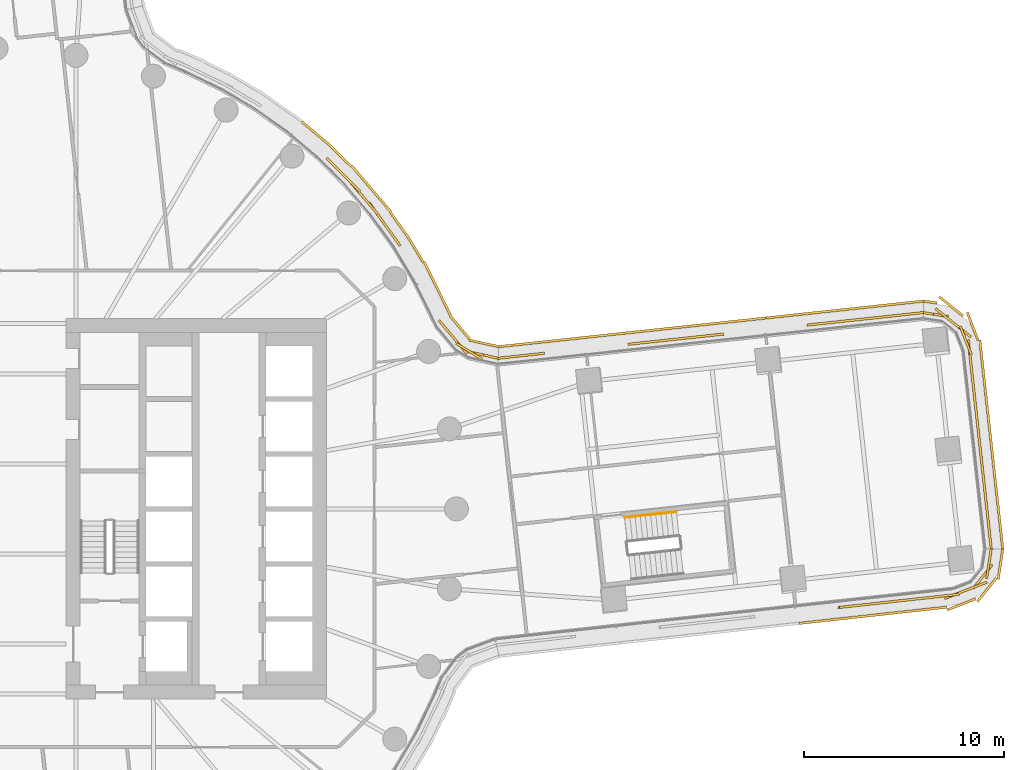
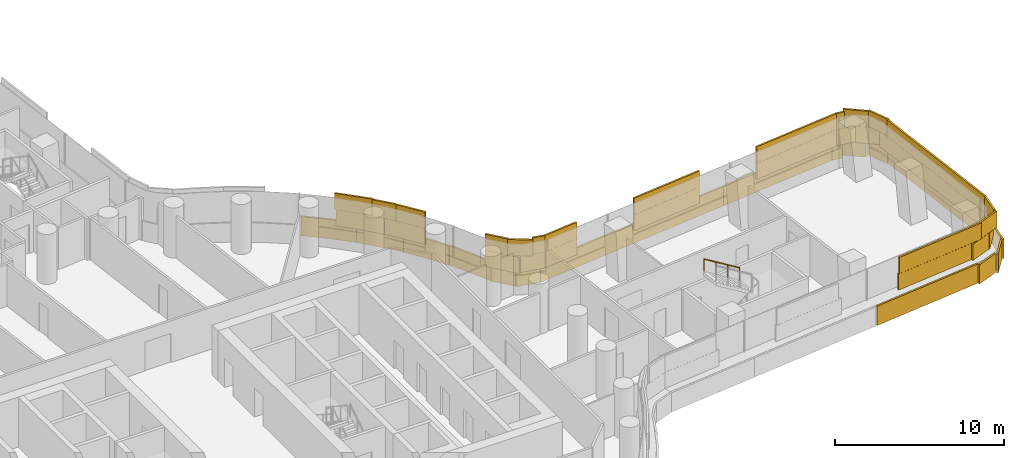
# One storey, part 29 of 31: 5 coverings, 1 railing.
"""IFC4 building model written with IfcOpenShell, lengths in metres."""

from ifc_helpers import new_model, si_unit, direction, frame, origin, origin_2d, place, context, subcontext, project, spatial, rectangle, circle, extrude, material, layer, layer_set, type_object, element, save


model = new_model("IFC4")

# Units and contexts
model_context = context("Model", 3, precision=1e-05, world=origin(), true_north=direction((0.0, 1.0)))
body_context = subcontext(model_context, "Body", "Model", "MODEL_VIEW")
ifc_project = project(units=[si_unit("LENGTHUNIT", "METRE"), si_unit("AREAUNIT", "SQUARE_METRE"), si_unit("VOLUMEUNIT", "CUBIC_METRE"), si_unit("PLANEANGLEUNIT", "RADIAN"), si_unit("MASSUNIT", "GRAM", prefix="KILO")], contexts=[model_context])

# Site, building, storey
site_placement = place(None, origin())
site = spatial("IfcSite", under=ifc_project, at=site_placement, CompositionType="ELEMENT")
building_placement = place(site_placement, origin())
building = spatial("IfcBuilding", under=site, at=building_placement, Name="Tamarind Cross Interchange Tower", CompositionType="ELEMENT")
storey_placement = place(building_placement, frame((0.0, 0.0, 56.5)))
storey = spatial("IfcBuildingStorey", under=building, at=storey_placement, Name="L12", CompositionType="ELEMENT", Elevation=56.5)

# Railing
ifc_material_1 = material(Name="Stair handrail")
railing_type = type_object("IfcRailingType", Name="Stair handrail", PredefinedType="HANDRAIL", material=ifc_material_1)
railing_placement = place(storey_placement, frame((33.987060546875, -0.141845703125, 2.04541015625)))
element("IfcRailing", 1, at=railing_placement, inside=storey, type_object=railing_type, Name="L12 ST3 stair handrail 2", PredefinedType="HANDRAIL", context=body_context, shape_type="SweptSolid", body=[
    extrude(circle(Radius=0.02392578125, at=origin_2d()), frame((0.0, 0.0, 0.8759765625), z_axis=(-0.831269033153, -0.09133357445, 0.548315577655), x_axis=(0.109215217887, -0.994018126687, 0.0)), (0.0, 0.0, 1.0), 3.10888671875),
    extrude(circle(Radius=0.02099609375, at=origin_2d()), origin(), (0.0, 0.0, 1.0), 0.851806640625),
    extrude(circle(Radius=0.02099609375, at=origin_2d()), frame((-0.861328125, -0.0947265625, 0.568115234375)), (0.0, 0.0, 1.0), 0.851806640625),
    extrude(circle(Radius=0.02099609375, at=origin_2d()), frame((-1.722900390625, -0.189208984375, 1.136474609375)), (0.0, 0.0, 1.0), 0.851806640625),
    extrude(circle(Radius=0.02099609375, at=origin_2d()), frame((-2.584228515625, -0.283935546875, 1.70458984375)), (0.0, 0.0, 1.0), 0.851806640625),
])

# Coverings
ifc_material_2 = material(Name="Terracotta", Category="masonry")
ifc_layer = layer(ifc_material_2, 0.1201171875)
ifc_layer_set = layer_set([ifc_layer], Name="Terracotta")
covering_type = type_object("IfcCoveringType", Name="Terracotta baguette screen unit", PredefinedType="MOLDING", material=ifc_layer_set)
covering_1_placement = place(storey_placement, origin())
element("IfcCovering", 2, at=covering_1_placement, inside=storey, type_object=covering_type, Name="SCR-L12-00-00", PredefinedType="MOLDING", context=body_context, shape_type="SweptSolid", body=[
    extrude(rectangle(XDim=1.510009765625, YDim=0.1201171875, at=origin_2d()), frame((49.631591796875, -1.252197265625, 1.404052734375), z_axis=(0.0, 0.0, 1.0), x_axis=(-0.109193040639, 0.994020563105, 0.0)), (0.0, 0.0, 1.0), 1.1669921875),
    extrude(rectangle(XDim=1.52001953125, YDim=0.1201171875, at=origin_2d()), frame((49.4677734375, 0.23876953125, 1.404052734375), z_axis=(0.0, 0.0, 1.0), x_axis=(-0.109193040639, 0.994020563105, 0.0)), (0.0, 0.0, 1.0), 1.1669921875),
    extrude(rectangle(XDim=1.52001953125, YDim=0.1201171875, at=origin_2d()), frame((49.303955078125, 1.72998046875, 1.404052734375), z_axis=(0.0, 0.0, 1.0), x_axis=(-0.109193040639, 0.994020563105, 0.0)), (0.0, 0.0, 1.0), 1.1669921875),
    extrude(rectangle(XDim=1.52001953125, YDim=0.1201171875, at=origin_2d()), frame((49.14013671875, 3.220947265625, 1.404052734375), z_axis=(0.0, 0.0, 1.0), x_axis=(-0.109193040639, 0.994020563105, 0.0)), (0.0, 0.0, 1.0), 1.1669921875),
    extrude(rectangle(XDim=1.52001953125, YDim=0.1201171875, at=origin_2d()), frame((48.976318359375, 4.7119140625, 1.404052734375), z_axis=(0.0, 0.0, 1.0), x_axis=(-0.109193040639, 0.994020563105, 0.0)), (0.0, 0.0, 1.0), 1.1669921875),
    extrude(rectangle(XDim=1.52001953125, YDim=0.1201171875, at=origin_2d()), frame((48.8125, 6.202880859375, 1.404052734375), z_axis=(0.0, 0.0, 1.0), x_axis=(-0.109193040639, 0.994020563105, 0.0)), (0.0, 0.0, 1.0), 1.1669921875),
    extrude(rectangle(XDim=1.52001953125, YDim=0.1201171875, at=origin_2d()), frame((48.648681640625, 7.694091796875, 1.404052734375), z_axis=(0.0, 0.0, 1.0), x_axis=(-0.109193040639, 0.994020563105, 0.0)), (0.0, 0.0, 1.0), 1.1669921875),
    extrude(rectangle(XDim=1.52001953125, YDim=0.1201171875, at=origin_2d()), frame((48.109375, 9.061279296875, 1.404052734375), z_axis=(0.0, 0.0, 1.0), x_axis=(-0.780089820305, 0.625667541316, 0.0)), (0.0, 0.0, 1.0), 1.1669921875),
    extrude(rectangle(XDim=1.259521484375, YDim=0.1201171875, at=origin_2d()), frame((46.94384765625, 9.7099609375, 1.404052734375), z_axis=(0.0, 0.0, 1.0), x_axis=(-0.988411372276, 0.151799074951, 0.0)), (0.0, 0.0, 1.0), 1.1669921875),
    extrude(rectangle(XDim=0.760009765625, YDim=0.1201171875, at=origin_2d()), frame((49.67236328125, -1.625, 2.5791015625), z_axis=(0.0, 0.0, 1.0), x_axis=(-0.109193040639, 0.994020563105, 0.0)), (0.0, 0.0, 1.0), 1.1669921875),
    extrude(rectangle(XDim=1.52001953125, YDim=0.1201171875, at=origin_2d()), frame((49.549560546875, -0.506591796875, 2.5791015625), z_axis=(0.0, 0.0, 1.0), x_axis=(-0.109193040639, 0.994020563105, 0.0)), (0.0, 0.0, 1.0), 1.1669921875),
    extrude(rectangle(XDim=1.52001953125, YDim=0.1201171875, at=origin_2d()), frame((49.3857421875, 0.984375, 2.5791015625), z_axis=(0.0, 0.0, 1.0), x_axis=(-0.109193040639, 0.994020563105, 0.0)), (0.0, 0.0, 1.0), 1.1669921875),
    extrude(rectangle(XDim=1.52001953125, YDim=0.1201171875, at=origin_2d()), frame((49.221923828125, 2.475341796875, 2.5791015625), z_axis=(0.0, 0.0, 1.0), x_axis=(-0.109193040639, 0.994020563105, 0.0)), (0.0, 0.0, 1.0), 1.1669921875),
    extrude(rectangle(XDim=1.52001953125, YDim=0.1201171875, at=origin_2d()), frame((49.058349609375, 3.966552734375, 2.5791015625), z_axis=(0.0, 0.0, 1.0), x_axis=(-0.109193040639, 0.994020563105, 0.0)), (0.0, 0.0, 1.0), 1.1669921875),
    extrude(rectangle(XDim=1.52001953125, YDim=0.1201171875, at=origin_2d()), frame((48.89453125, 5.45751953125, 2.5791015625), z_axis=(0.0, 0.0, 1.0), x_axis=(-0.109193040639, 0.994020563105, 0.0)), (0.0, 0.0, 1.0), 1.1669921875),
    extrude(rectangle(XDim=1.52001953125, YDim=0.1201171875, at=origin_2d()), frame((48.730712890625, 6.948486328125, 2.5791015625), z_axis=(0.0, 0.0, 1.0), x_axis=(-0.109193040639, 0.994020563105, 0.0)), (0.0, 0.0, 1.0), 1.1669921875),
    extrude(rectangle(XDim=1.52001953125, YDim=0.1201171875, at=origin_2d()), frame((48.446044921875, 8.409912109375, 2.5791015625), z_axis=(0.0, 0.0, 1.0), x_axis=(-0.36274383096, 0.931888895256, 0.0)), (0.0, 0.0, 1.0), 1.1669921875),
    extrude(rectangle(XDim=1.52001953125, YDim=0.1201171875, at=origin_2d()), frame((47.524169921875, 9.530517578125, 2.5791015625), z_axis=(0.0, 0.0, 1.0), x_axis=(-0.780089820305, 0.625667541316, 0.0)), (0.0, 0.0, 1.0), 1.1669921875),
    extrude(rectangle(XDim=0.509521484375, YDim=0.1201171875, at=origin_2d()), frame((46.5732421875, 9.766845703125, 2.5791015625), z_axis=(0.0, 0.0, 1.0), x_axis=(-0.988411372276, 0.151799074951, 0.0)), (0.0, 0.0, 1.0), 1.1669921875),
    extrude(rectangle(XDim=1.510009765625, YDim=0.1201171875, at=origin_2d()), frame((50.209716796875, -1.259521484375, 0.00390625), z_axis=(0.0, 0.0, 1.0), x_axis=(-0.109193040639, 0.994020563105, 0.0)), (0.0, 0.0, 1.0), 1.39208984375),
    extrude(rectangle(XDim=1.52001953125, YDim=0.1201171875, at=origin_2d()), frame((50.046630859375, 0.226318359375, 0.00390625), z_axis=(0.0, 0.0, 1.0), x_axis=(-0.109193040639, 0.994020563105, 0.0)), (0.0, 0.0, 1.0), 1.39208984375),
    extrude(rectangle(XDim=1.52001953125, YDim=0.1201171875, at=origin_2d()), frame((49.8828125, 1.717529296875, 0.00390625), z_axis=(0.0, 0.0, 1.0), x_axis=(-0.109193040639, 0.994020563105, 0.0)), (0.0, 0.0, 1.0), 1.39208984375),
    extrude(rectangle(XDim=1.52001953125, YDim=0.1201171875, at=origin_2d()), frame((49.718994140625, 3.20849609375, 0.00390625), z_axis=(0.0, 0.0, 1.0), x_axis=(-0.109193040639, 0.994020563105, 0.0)), (0.0, 0.0, 1.0), 1.39208984375),
    extrude(rectangle(XDim=1.52001953125, YDim=0.1201171875, at=origin_2d()), frame((49.55517578125, 4.699462890625, 0.00390625), z_axis=(0.0, 0.0, 1.0), x_axis=(-0.109193040639, 0.994020563105, 0.0)), (0.0, 0.0, 1.0), 1.39208984375),
    extrude(rectangle(XDim=1.52001953125, YDim=0.1201171875, at=origin_2d()), frame((49.391357421875, 6.1904296875, 0.00390625), z_axis=(0.0, 0.0, 1.0), x_axis=(-0.109193040639, 0.994020563105, 0.0)), (0.0, 0.0, 1.0), 1.39208984375),
    extrude(rectangle(XDim=1.52001953125, YDim=0.1201171875, at=origin_2d()), frame((49.2275390625, 7.681640625, 0.00390625), z_axis=(0.0, 0.0, 1.0), x_axis=(-0.109193040639, 0.994020563105, 0.0)), (0.0, 0.0, 1.0), 1.39208984375),
    extrude(rectangle(XDim=1.52001953125, YDim=0.1201171875, at=origin_2d()), frame((48.791259765625, 9.105712890625, 0.00390625), z_axis=(0.0, 0.0, 1.0), x_axis=(-0.36274383096, 0.931888895256, 0.0)), (0.0, 0.0, 1.0), 1.39208984375),
    extrude(rectangle(XDim=1.52001953125, YDim=0.1201171875, at=origin_2d()), frame((47.715087890625, 10.11328125, 0.00390625), z_axis=(0.0, 0.0, 1.0), x_axis=(-0.780089820305, 0.625667541316, 0.0)), (0.0, 0.0, 1.0), 1.39208984375),
    extrude(rectangle(XDim=0.67626953125, YDim=0.1201171875, at=origin_2d()), frame((46.673828125, 10.332275390625, 0.00390625), z_axis=(0.0, 0.0, 1.0), x_axis=(-0.988411372276, 0.151799074951, 0.0)), (0.0, 0.0, 1.0), 1.39208984375),
])
covering_2_placement = place(storey_placement, origin())
element("IfcCovering", 3, at=covering_2_placement, inside=storey, type_object=covering_type, Name="SCR-L12-01-00", PredefinedType="MOLDING", context=body_context, shape_type="SweptSolid", body=[
    extrude(rectangle(XDim=1.510009765625, YDim=0.1201171875, at=origin_2d()), frame((45.58056640625, 9.724853515625, 1.404052734375), z_axis=(0.0, 0.0, 1.0), x_axis=(-0.994286578986, -0.106743612679, 0.0)), (0.0, 0.0, 1.0), 1.1669921875),
    extrude(rectangle(XDim=1.52001953125, YDim=0.1201171875, at=origin_2d()), frame((44.089111328125, 9.564697265625, 1.404052734375), z_axis=(0.0, 0.0, 1.0), x_axis=(-0.994286578986, -0.106743612679, 0.0)), (0.0, 0.0, 1.0), 1.1669921875),
    extrude(rectangle(XDim=1.52001953125, YDim=0.1201171875, at=origin_2d()), frame((42.597900390625, 9.404541015625, 1.404052734375), z_axis=(0.0, 0.0, 1.0), x_axis=(-0.994286578986, -0.106743612679, 0.0)), (0.0, 0.0, 1.0), 1.1669921875),
    extrude(rectangle(XDim=1.348388671875, YDim=0.1201171875, at=origin_2d()), frame((41.186767578125, 9.253173828125, 1.404052734375), z_axis=(0.0, 0.0, 1.0), x_axis=(-0.994286578986, -0.106743612679, 0.0)), (0.0, 0.0, 1.0), 1.1669921875),
    extrude(rectangle(XDim=0.760009765625, YDim=0.1201171875, at=origin_2d()), frame((45.95361328125, 9.764892578125, 2.5791015625), z_axis=(0.0, 0.0, 1.0), x_axis=(-0.994286578986, -0.106743612679, 0.0)), (0.0, 0.0, 1.0), 1.1669921875),
    extrude(rectangle(XDim=1.52001953125, YDim=0.1201171875, at=origin_2d()), frame((44.8349609375, 9.644775390625, 2.5791015625), z_axis=(0.0, 0.0, 1.0), x_axis=(-0.994286578986, -0.106743612679, 0.0)), (0.0, 0.0, 1.0), 1.1669921875),
    extrude(rectangle(XDim=1.52001953125, YDim=0.1201171875, at=origin_2d()), frame((43.343505859375, 9.484619140625, 2.5791015625), z_axis=(0.0, 0.0, 1.0), x_axis=(-0.994286578986, -0.106743612679, 0.0)), (0.0, 0.0, 1.0), 1.1669921875),
    extrude(rectangle(XDim=1.52001953125, YDim=0.1201171875, at=origin_2d()), frame((41.85205078125, 9.324462890625, 2.5791015625), z_axis=(0.0, 0.0, 1.0), x_axis=(-0.994286578986, -0.106743612679, 0.0)), (0.0, 0.0, 1.0), 1.1669921875),
    extrude(rectangle(XDim=0.598388671875, YDim=0.1201171875, at=origin_2d()), frame((40.81396484375, 9.213134765625, 2.5791015625), z_axis=(0.0, 0.0, 1.0), x_axis=(-0.994286578986, -0.106743612679, 0.0)), (0.0, 0.0, 1.0), 1.1669921875),
    extrude(rectangle(XDim=1.510009765625, YDim=0.1201171875, at=origin_2d()), frame((45.5888671875, 10.302978515625, 0.00390625), z_axis=(0.0, 0.0, 1.0), x_axis=(-0.994286578986, -0.106743612679, 0.0)), (0.0, 0.0, 1.0), 1.39208984375),
    extrude(rectangle(XDim=1.52001953125, YDim=0.1201171875, at=origin_2d()), frame((44.102294921875, 10.143310546875, 0.00390625), z_axis=(0.0, 0.0, 1.0), x_axis=(-0.994286578986, -0.106743612679, 0.0)), (0.0, 0.0, 1.0), 1.39208984375),
    extrude(rectangle(XDim=1.52001953125, YDim=0.1201171875, at=origin_2d()), frame((42.61083984375, 9.9833984375, 0.00390625), z_axis=(0.0, 0.0, 1.0), x_axis=(-0.994286578986, -0.106743612679, 0.0)), (0.0, 0.0, 1.0), 1.39208984375),
    extrude(rectangle(XDim=1.52001953125, YDim=0.1201171875, at=origin_2d()), frame((41.11962890625, 9.8232421875, 0.00390625), z_axis=(0.0, 0.0, 1.0), x_axis=(-0.994286578986, -0.106743612679, 0.0)), (0.0, 0.0, 1.0), 1.39208984375),
    extrude(rectangle(XDim=1.52001953125, YDim=0.1201171875, at=origin_2d()), frame((39.628173828125, 9.6630859375, 0.00390625), z_axis=(0.0, 0.0, 1.0), x_axis=(-0.994286578986, -0.106743612679, 0.0)), (0.0, 0.0, 1.0), 1.39208984375),
    extrude(rectangle(XDim=0.441162109375, YDim=0.1201171875, at=origin_2d()), frame((38.6728515625, 9.560546875, 0.00390625), z_axis=(0.0, 0.0, 1.0), x_axis=(-0.994286578986, -0.106743612679, 0.0)), (0.0, 0.0, 1.0), 1.39208984375),
])
covering_3_placement = place(storey_placement, origin())
element("IfcCovering", 4, at=covering_3_placement, inside=storey, type_object=covering_type, Name="SCR-L12-01-01", PredefinedType="MOLDING", context=body_context, shape_type="SweptSolid", body=[
    extrude(rectangle(XDim=0.4716796875, YDim=0.1201171875, at=origin_2d()), frame((36.11572265625, 8.708740234375, 1.404052734375), z_axis=(0.0, 0.0, 1.0), x_axis=(-0.994286578986, -0.106743612679, 0.0)), (0.0, 0.0, 1.0), 1.1669921875),
    extrude(rectangle(XDim=1.52001953125, YDim=0.1201171875, at=origin_2d()), frame((35.140625, 8.60400390625, 1.404052734375), z_axis=(0.0, 0.0, 1.0), x_axis=(-0.994286578986, -0.106743612679, 0.0)), (0.0, 0.0, 1.0), 1.1669921875),
    extrude(rectangle(XDim=1.52001953125, YDim=0.1201171875, at=origin_2d()), frame((33.649169921875, 8.44384765625, 1.404052734375), z_axis=(0.0, 0.0, 1.0), x_axis=(-0.994286578986, -0.106743612679, 0.0)), (0.0, 0.0, 1.0), 1.1669921875),
    extrude(rectangle(XDim=1.34716796875, YDim=0.1201171875, at=origin_2d()), frame((32.23876953125, 8.29248046875, 1.404052734375), z_axis=(0.0, 0.0, 1.0), x_axis=(-0.994286578986, -0.106743612679, 0.0)), (0.0, 0.0, 1.0), 1.1669921875),
    extrude(rectangle(XDim=0.472900390625, YDim=0.1201171875, at=origin_2d()), frame((27.16796875, 7.748046875, 1.404052734375), z_axis=(0.0, 0.0, 1.0), x_axis=(-0.994286578986, -0.106743612679, 0.0)), (0.0, 0.0, 1.0), 1.1669921875),
    extrude(rectangle(XDim=1.52001953125, YDim=0.1201171875, at=origin_2d()), frame((26.192138671875, 7.643310546875, 1.404052734375), z_axis=(0.0, 0.0, 1.0), x_axis=(-0.994286578986, -0.106743612679, 0.0)), (0.0, 0.0, 1.0), 1.1669921875),
    extrude(rectangle(XDim=0.37548828125, YDim=0.1201171875, at=origin_2d()), frame((25.2646484375, 7.543701171875, 1.404052734375), z_axis=(0.0, 0.0, 1.0), x_axis=(-0.994286578986, -0.106743612679, 0.0)), (0.0, 0.0, 1.0), 1.1669921875),
    extrude(rectangle(XDim=1.2216796875, YDim=0.1201171875, at=origin_2d()), frame((35.742919921875, 8.668701171875, 2.5791015625), z_axis=(0.0, 0.0, 1.0), x_axis=(-0.994286578986, -0.106743612679, 0.0)), (0.0, 0.0, 1.0), 1.1669921875),
    extrude(rectangle(XDim=1.52001953125, YDim=0.1201171875, at=origin_2d()), frame((34.39501953125, 8.52392578125, 2.5791015625), z_axis=(0.0, 0.0, 1.0), x_axis=(-0.994286578986, -0.106743612679, 0.0)), (0.0, 0.0, 1.0), 1.1669921875),
    extrude(rectangle(XDim=1.52001953125, YDim=0.1201171875, at=origin_2d()), frame((32.903564453125, 8.36376953125, 2.5791015625), z_axis=(0.0, 0.0, 1.0), x_axis=(-0.994286578986, -0.106743612679, 0.0)), (0.0, 0.0, 1.0), 1.1669921875),
    extrude(rectangle(XDim=0.59716796875, YDim=0.1201171875, at=origin_2d()), frame((31.865966796875, 8.25244140625, 2.5791015625), z_axis=(0.0, 0.0, 1.0), x_axis=(-0.994286578986, -0.106743612679, 0.0)), (0.0, 0.0, 1.0), 1.1669921875),
    extrude(rectangle(XDim=1.222900390625, YDim=0.1201171875, at=origin_2d()), frame((26.794921875, 7.7080078125, 2.5791015625), z_axis=(0.0, 0.0, 1.0), x_axis=(-0.994286578986, -0.106743612679, 0.0)), (0.0, 0.0, 1.0), 1.1669921875),
    extrude(rectangle(XDim=1.12548828125, YDim=0.1201171875, at=origin_2d()), frame((25.637451171875, 7.583740234375, 2.5791015625), z_axis=(0.0, 0.0, 1.0), x_axis=(-0.994286578986, -0.106743612679, 0.0)), (0.0, 0.0, 1.0), 1.1669921875),
    extrude(rectangle(XDim=1.07861328125, YDim=0.1201171875, at=origin_2d()), frame((37.917236328125, 9.4794921875, 0.00390625), z_axis=(0.0, 0.0, 1.0), x_axis=(-0.994286578986, -0.106743612679, 0.0)), (0.0, 0.0, 1.0), 1.39208984375),
    extrude(rectangle(XDim=1.52001953125, YDim=0.1201171875, at=origin_2d()), frame((36.645263671875, 9.3427734375, 0.00390625), z_axis=(0.0, 0.0, 1.0), x_axis=(-0.994286578986, -0.106743612679, 0.0)), (0.0, 0.0, 1.0), 1.39208984375),
    extrude(rectangle(XDim=1.52001953125, YDim=0.1201171875, at=origin_2d()), frame((35.15380859375, 9.1826171875, 0.00390625), z_axis=(0.0, 0.0, 1.0), x_axis=(-0.994286578986, -0.106743612679, 0.0)), (0.0, 0.0, 1.0), 1.39208984375),
    extrude(rectangle(XDim=1.52001953125, YDim=0.1201171875, at=origin_2d()), frame((33.662353515625, 9.022705078125, 0.00390625), z_axis=(0.0, 0.0, 1.0), x_axis=(-0.994286578986, -0.106743612679, 0.0)), (0.0, 0.0, 1.0), 1.39208984375),
    extrude(rectangle(XDim=1.52001953125, YDim=0.1201171875, at=origin_2d()), frame((32.1708984375, 8.862548828125, 0.00390625), z_axis=(0.0, 0.0, 1.0), x_axis=(-0.994286578986, -0.106743612679, 0.0)), (0.0, 0.0, 1.0), 1.39208984375),
    extrude(rectangle(XDim=1.52001953125, YDim=0.1201171875, at=origin_2d()), frame((30.679443359375, 8.702392578125, 0.00390625), z_axis=(0.0, 0.0, 1.0), x_axis=(-0.994286578986, -0.106743612679, 0.0)), (0.0, 0.0, 1.0), 1.39208984375),
    extrude(rectangle(XDim=1.52001953125, YDim=0.1201171875, at=origin_2d()), frame((29.18798828125, 8.542236328125, 0.00390625), z_axis=(0.0, 0.0, 1.0), x_axis=(-0.994286578986, -0.106743612679, 0.0)), (0.0, 0.0, 1.0), 1.39208984375),
    extrude(rectangle(XDim=1.52001953125, YDim=0.1201171875, at=origin_2d()), frame((27.696533203125, 8.382080078125, 0.00390625), z_axis=(0.0, 0.0, 1.0), x_axis=(-0.994286578986, -0.106743612679, 0.0)), (0.0, 0.0, 1.0), 1.39208984375),
    extrude(rectangle(XDim=1.52001953125, YDim=0.1201171875, at=origin_2d()), frame((26.205322265625, 8.221923828125, 0.00390625), z_axis=(0.0, 0.0, 1.0), x_axis=(-0.994286578986, -0.106743612679, 0.0)), (0.0, 0.0, 1.0), 1.39208984375),
    extrude(rectangle(XDim=0.356201171875, YDim=0.1201171875, at=origin_2d()), frame((25.292236328125, 8.1240234375, 0.00390625), z_axis=(0.0, 0.0, 1.0), x_axis=(-0.994286578986, -0.106743612679, 0.0)), (0.0, 0.0, 1.0), 1.39208984375),
])
covering_4_placement = place(storey_placement, origin())
element("IfcCovering", 5, at=covering_4_placement, inside=storey, type_object=covering_type, Name="SCR-L12-02-00", PredefinedType="MOLDING", context=body_context, shape_type="SweptSolid", body=[
    extrude(rectangle(XDim=1.510009765625, YDim=0.1201171875, at=origin_2d()), frame((24.350830078125, 7.686279296875, 1.404052734375), z_axis=(0.0, 0.0, 1.0), x_axis=(-0.976411263603, 0.215919068886, 0.0)), (0.0, 0.0, 1.0), 1.1669921875),
    extrude(rectangle(XDim=1.52001953125, YDim=0.1201171875, at=origin_2d()), frame((23.041748046875, 8.32763671875, 1.404052734375), z_axis=(0.0, 0.0, 1.0), x_axis=(-0.643509866474, 0.765437817038, 0.0)), (0.0, 0.0, 1.0), 1.1669921875),
    extrude(rectangle(XDim=0.68212890625, YDim=0.1201171875, at=origin_2d()), frame((22.3427734375, 9.1591796875, 1.404052734375), z_axis=(0.0, 0.0, 1.0), x_axis=(-0.643509866474, 0.765437817038, 0.0)), (0.0, 0.0, 1.0), 1.1669921875),
    extrude(rectangle(XDim=1.137939453125, YDim=0.1201171875, at=origin_2d()), frame((19.859375, 13.604248046875, 1.404052734375), z_axis=(0.0, 0.0, 1.0), x_axis=(-0.584573890505, 0.811340475102, 0.0)), (0.0, 0.0, 1.0), 1.1669921875),
    extrude(rectangle(XDim=1.52001953125, YDim=0.1201171875, at=origin_2d()), frame((19.09130859375, 14.67041015625, 1.404052734375), z_axis=(0.0, 0.0, 1.0), x_axis=(-0.584573890505, 0.811340475102, 0.0)), (0.0, 0.0, 1.0), 1.1669921875),
    extrude(rectangle(XDim=1.52001953125, YDim=0.1201171875, at=origin_2d()), frame((18.133544921875, 15.82373046875, 1.404052734375), z_axis=(0.0, 0.0, 1.0), x_axis=(-0.64957723968, 0.760295606781, 0.0)), (0.0, 0.0, 1.0), 1.1669921875),
    extrude(rectangle(XDim=1.52001953125, YDim=0.1201171875, at=origin_2d()), frame((17.11328125, 16.921630859375, 1.404052734375), z_axis=(0.0, 0.0, 1.0), x_axis=(-0.710143317658, 0.704057148523, 0.0)), (0.0, 0.0, 1.0), 1.1669921875),
    extrude(rectangle(XDim=0.760009765625, YDim=0.1201171875, at=origin_2d()), frame((24.716796875, 7.605224609375, 2.5791015625), z_axis=(0.0, 0.0, 1.0), x_axis=(-0.976411263603, 0.215919068886, 0.0)), (0.0, 0.0, 1.0), 1.1669921875),
    extrude(rectangle(XDim=1.52001953125, YDim=0.1201171875, at=origin_2d()), frame((23.630126953125, 7.877197265625, 2.5791015625), z_axis=(0.0, 0.0, 1.0), x_axis=(-0.855294587009, 0.518142035964, 0.0)), (0.0, 0.0, 1.0), 1.1669921875),
    extrude(rectangle(XDim=1.43212890625, YDim=0.1201171875, at=origin_2d()), frame((22.583984375, 8.8720703125, 2.5791015625), z_axis=(0.0, 0.0, 1.0), x_axis=(-0.643509866474, 0.765437817038, 0.0)), (0.0, 0.0, 1.0), 1.1669921875),
    extrude(rectangle(XDim=0.387939453125, YDim=0.1201171875, at=origin_2d()), frame((20.07861328125, 13.300048828125, 2.5791015625), z_axis=(0.0, 0.0, 1.0), x_axis=(-0.584573890505, 0.811340475102, 0.0)), (0.0, 0.0, 1.0), 1.1669921875),
    extrude(rectangle(XDim=1.52001953125, YDim=0.1201171875, at=origin_2d()), frame((19.52978515625, 14.061767578125, 2.5791015625), z_axis=(0.0, 0.0, 1.0), x_axis=(-0.584573890505, 0.811340475102, 0.0)), (0.0, 0.0, 1.0), 1.1669921875),
    extrude(rectangle(XDim=1.52001953125, YDim=0.1201171875, at=origin_2d()), frame((18.62060546875, 15.25341796875, 2.5791015625), z_axis=(0.0, 0.0, 1.0), x_axis=(-0.64957723968, 0.760295606781, 0.0)), (0.0, 0.0, 1.0), 1.1669921875),
    extrude(rectangle(XDim=1.52001953125, YDim=0.1201171875, at=origin_2d()), frame((17.645751953125, 16.3935546875, 2.5791015625), z_axis=(0.0, 0.0, 1.0), x_axis=(-0.710143317658, 0.704057148523, 0.0)), (0.0, 0.0, 1.0), 1.1669921875),
    extrude(rectangle(XDim=0.85595703125, YDim=0.1201171875, at=origin_2d()), frame((16.812744140625, 17.219482421875, 2.5791015625), z_axis=(0.0, 0.0, 1.0), x_axis=(-0.710143317658, 0.704057148523, 0.0)), (0.0, 0.0, 1.0), 1.1669921875),
    extrude(rectangle(XDim=1.510009765625, YDim=0.1201171875, at=origin_2d()), frame((24.3779296875, 8.26806640625, 0.00390625), z_axis=(0.0, 0.0, 1.0), x_axis=(-0.976411263603, 0.215919068886, 0.0)), (0.0, 0.0, 1.0), 1.39208984375),
    extrude(rectangle(XDim=1.52001953125, YDim=0.1201171875, at=origin_2d()), frame((23.1767578125, 9.05908203125, 0.00390625), z_axis=(0.0, 0.0, 1.0), x_axis=(-0.643509866474, 0.765437817038, 0.0)), (0.0, 0.0, 1.0), 1.39208984375),
    extrude(rectangle(XDim=1.52001953125, YDim=0.1201171875, at=origin_2d()), frame((22.3837890625, 10.320556640625, 0.00390625), z_axis=(0.0, 0.0, 1.0), x_axis=(-0.443058811505, 0.896492548518, 0.0)), (0.0, 0.0, 1.0), 1.39208984375),
    extrude(rectangle(XDim=1.52001953125, YDim=0.1201171875, at=origin_2d()), frame((21.71923828125, 11.665283203125, 0.00390625), z_axis=(0.0, 0.0, 1.0), x_axis=(-0.443058811505, 0.896492548518, 0.0)), (0.0, 0.0, 1.0), 1.39208984375),
    extrude(rectangle(XDim=1.52001953125, YDim=0.1201171875, at=origin_2d()), frame((20.959228515625, 12.957763671875, 0.00390625), z_axis=(0.0, 0.0, 1.0), x_axis=(-0.515577308909, 0.856843065292, 0.0)), (0.0, 0.0, 1.0), 1.39208984375),
    extrude(rectangle(XDim=1.52001953125, YDim=0.1201171875, at=origin_2d()), frame((20.132080078125, 14.207763671875, 0.00390625), z_axis=(0.0, 0.0, 1.0), x_axis=(-0.584573890505, 0.811340475102, 0.0)), (0.0, 0.0, 1.0), 1.39208984375),
    extrude(rectangle(XDim=1.52001953125, YDim=0.1201171875, at=origin_2d()), frame((19.23974609375, 15.412353515625, 0.00390625), z_axis=(0.0, 0.0, 1.0), x_axis=(-0.64957723968, 0.760295606781, 0.0)), (0.0, 0.0, 1.0), 1.39208984375),
    extrude(rectangle(XDim=1.52001953125, YDim=0.1201171875, at=origin_2d()), frame((18.265380859375, 16.552978515625, 0.00390625), z_axis=(0.0, 0.0, 1.0), x_axis=(-0.64957723968, 0.760295606781, 0.0)), (0.0, 0.0, 1.0), 1.39208984375),
    extrude(rectangle(XDim=1.52001953125, YDim=0.1201171875, at=origin_2d()), frame((17.21826171875, 17.625732421875, 0.00390625), z_axis=(0.0, 0.0, 1.0), x_axis=(-0.710143317658, 0.704057148523, 0.0)), (0.0, 0.0, 1.0), 1.39208984375),
    extrude(rectangle(XDim=1.52001953125, YDim=0.1201171875, at=origin_2d()), frame((16.115966796875, 18.641357421875, 0.00390625), z_axis=(0.0, 0.0, 1.0), x_axis=(-0.765858396687, 0.643009266048, 0.0)), (0.0, 0.0, 1.0), 1.39208984375),
    extrude(rectangle(XDim=0.349365234375, YDim=0.1201171875, at=origin_2d()), frame((15.41552734375, 19.2294921875, 0.00390625), z_axis=(0.0, 0.0, 1.0), x_axis=(-0.765858396687, 0.643009266048, 0.0)), (0.0, 0.0, 1.0), 1.39208984375),
])
covering_5_placement = place(storey_placement, origin())
element("IfcCovering", 6, at=covering_5_placement, inside=storey, type_object=covering_type, Name="SCR-L12-15-02", PredefinedType="MOLDING", context=body_context, shape_type="SweptSolid", body=[
    extrude(rectangle(XDim=0.837646484375, YDim=0.1201171875, at=origin_2d()), frame((42.48095703125, -4.8828125, 1.404052734375), z_axis=(0.0, 0.0, 1.0), x_axis=(0.994020563105, 0.109193040639, 0.0)), (0.0, 0.0, 1.0), 1.1669921875),
    extrude(rectangle(XDim=1.52001953125, YDim=0.1201171875, at=origin_2d()), frame((43.637939453125, -4.755615234375, 1.404052734375), z_axis=(0.0, 0.0, 1.0), x_axis=(0.994020563105, 0.109193040639, 0.0)), (0.0, 0.0, 1.0), 1.1669921875),
    extrude(rectangle(XDim=1.52001953125, YDim=0.1201171875, at=origin_2d()), frame((45.12890625, -4.592041015625, 1.404052734375), z_axis=(0.0, 0.0, 1.0), x_axis=(0.994020563105, 0.109193040639, 0.0)), (0.0, 0.0, 1.0), 1.1669921875),
    extrude(rectangle(XDim=1.52001953125, YDim=0.1201171875, at=origin_2d()), frame((46.619873046875, -4.42822265625, 1.404052734375), z_axis=(0.0, 0.0, 1.0), x_axis=(0.994020563105, 0.109193040639, 0.0)), (0.0, 0.0, 1.0), 1.1669921875),
    extrude(rectangle(XDim=1.52001953125, YDim=0.1201171875, at=origin_2d()), frame((48.09619140625, -4.2041015625, 1.404052734375), z_axis=(0.0, 0.0, 1.0), x_axis=(0.931888895256, 0.36274383096, 0.0)), (0.0, 0.0, 1.0), 1.1669921875),
    extrude(rectangle(XDim=1.52001953125, YDim=0.1201171875, at=origin_2d()), frame((49.2900390625, -3.3818359375, 1.404052734375), z_axis=(0.0, 0.0, 1.0), x_axis=(0.625667541316, 0.780089820305, 0.0)), (0.0, 0.0, 1.0), 1.1669921875),
    extrude(rectangle(XDim=0.748046875, YDim=0.1201171875, at=origin_2d()), frame((49.657470703125, -2.362548828125, 1.404052734375), z_axis=(0.0, 0.0, 1.0), x_axis=(0.151799074951, 0.988411372276, 0.0)), (0.0, 0.0, 1.0), 1.1669921875),
    extrude(rectangle(XDim=1.52001953125, YDim=0.1201171875, at=origin_2d()), frame((42.892333984375, -4.837646484375, 2.5791015625), z_axis=(0.0, 0.0, 1.0), x_axis=(0.994020563105, 0.109193040639, 0.0)), (0.0, 0.0, 1.0), 1.1669921875),
    extrude(rectangle(XDim=1.52001953125, YDim=0.1201171875, at=origin_2d()), frame((44.383544921875, -4.673828125, 2.5791015625), z_axis=(0.0, 0.0, 1.0), x_axis=(0.994020563105, 0.109193040639, 0.0)), (0.0, 0.0, 1.0), 1.1669921875),
    extrude(rectangle(XDim=1.52001953125, YDim=0.1201171875, at=origin_2d()), frame((45.87451171875, -4.510009765625, 2.5791015625), z_axis=(0.0, 0.0, 1.0), x_axis=(0.994020563105, 0.109193040639, 0.0)), (0.0, 0.0, 1.0), 1.1669921875),
    extrude(rectangle(XDim=1.52001953125, YDim=0.1201171875, at=origin_2d()), frame((47.365478515625, -4.34619140625, 2.5791015625), z_axis=(0.0, 0.0, 1.0), x_axis=(0.994020563105, 0.109193040639, 0.0)), (0.0, 0.0, 1.0), 1.1669921875),
    extrude(rectangle(XDim=1.52001953125, YDim=0.1201171875, at=origin_2d()), frame((48.795166015625, -3.931884765625, 2.5791015625), z_axis=(0.0, 0.0, 1.0), x_axis=(0.931888895256, 0.36274383096, 0.0)), (0.0, 0.0, 1.0), 1.1669921875),
    extrude(rectangle(XDim=1.498046875, YDim=0.1201171875, at=origin_2d()), frame((49.600341796875, -2.733154296875, 2.5791015625), z_axis=(0.0, 0.0, 1.0), x_axis=(0.151799074951, 0.988411372276, 0.0)), (0.0, 0.0, 1.0), 1.1669921875),
    extrude(rectangle(XDim=1.434814453125, YDim=0.1201171875, at=origin_2d()), frame((40.831787109375, -5.641357421875, 0.00390625), z_axis=(0.0, 0.0, 1.0), x_axis=(0.994020563105, 0.109193040639, 0.0)), (0.0, 0.0, 1.0), 1.39208984375),
    extrude(rectangle(XDim=1.52001953125, YDim=0.1201171875, at=origin_2d()), frame((42.280517578125, -5.482177734375, 0.00390625), z_axis=(0.0, 0.0, 1.0), x_axis=(0.994020563105, 0.109193040639, 0.0)), (0.0, 0.0, 1.0), 1.39208984375),
    extrude(rectangle(XDim=1.52001953125, YDim=0.1201171875, at=origin_2d()), frame((43.771484375, -5.318603515625, 0.00390625), z_axis=(0.0, 0.0, 1.0), x_axis=(0.994020563105, 0.109193040639, 0.0)), (0.0, 0.0, 1.0), 1.39208984375),
    extrude(rectangle(XDim=1.52001953125, YDim=0.1201171875, at=origin_2d()), frame((45.2626953125, -5.15478515625, 0.00390625), z_axis=(0.0, 0.0, 1.0), x_axis=(0.994020563105, 0.109193040639, 0.0)), (0.0, 0.0, 1.0), 1.39208984375),
    extrude(rectangle(XDim=1.52001953125, YDim=0.1201171875, at=origin_2d()), frame((46.753662109375, -4.990966796875, 0.00390625), z_axis=(0.0, 0.0, 1.0), x_axis=(0.994020563105, 0.109193040639, 0.0)), (0.0, 0.0, 1.0), 1.39208984375),
    extrude(rectangle(XDim=1.52001953125, YDim=0.1201171875, at=origin_2d()), frame((48.230224609375, -4.767822265625, 0.00390625), z_axis=(0.0, 0.0, 1.0), x_axis=(0.931888895256, 0.36274383096, 0.0)), (0.0, 0.0, 1.0), 1.39208984375),
    extrude(rectangle(XDim=1.52001953125, YDim=0.1201171875, at=origin_2d()), frame((49.495361328125, -4.04296875, 0.00390625), z_axis=(0.0, 0.0, 1.0), x_axis=(0.625667541316, 0.780089820305, 0.0)), (0.0, 0.0, 1.0), 1.39208984375),
    extrude(rectangle(XDim=1.52001953125, YDim=0.1201171875, at=origin_2d()), frame((50.177001953125, -2.760009765625, 0.00390625), z_axis=(0.0, 0.0, 1.0), x_axis=(0.151799074951, 0.988411372276, 0.0)), (0.0, 0.0, 1.0), 1.39208984375),
])

save(model, "model.ifc")
